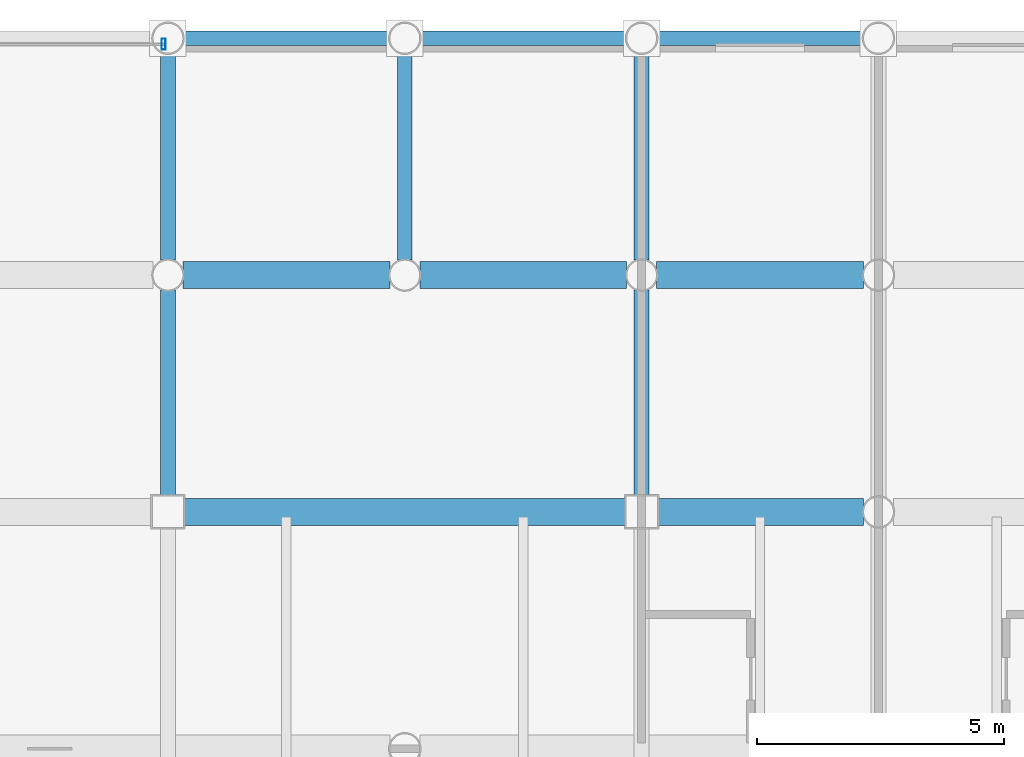
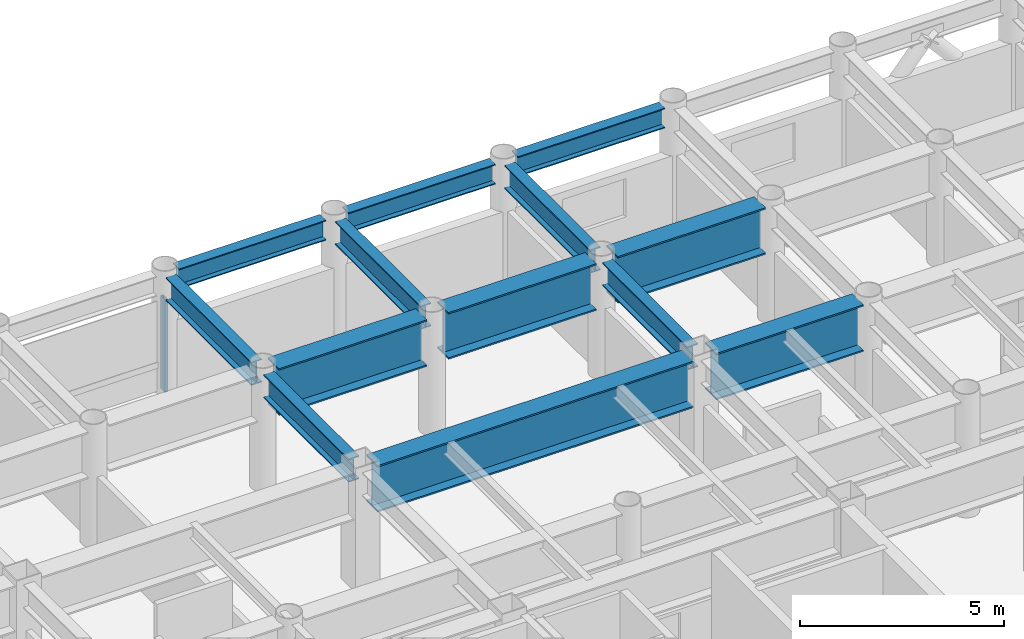
# One storey, part 14 of 22: 13 beams, 1 member, 1 element without a shape of its own.
"""IFC4 building model written with IfcOpenShell, lengths in metres."""

from ifc_helpers import new_model, si_unit, direction, frame, origin, origin_2d, place, context, subcontext, project, spatial, hollow_rectangle, i_section, extrude, material, layer, layer_set, material_profile, profile_set, type_object, element, aggregate, save


model = new_model("IFC4")

# Units and contexts
model_context = context("Model", 3, precision=1e-05, world=origin(), true_north=direction((0.0, 1.0)))
body_context = subcontext(model_context, "Body", "Model", "MODEL_VIEW")
ifc_project = project(units=[si_unit("LENGTHUNIT", "METRE"), si_unit("AREAUNIT", "SQUARE_METRE"), si_unit("VOLUMEUNIT", "CUBIC_METRE"), si_unit("PLANEANGLEUNIT", "RADIAN"), si_unit("MASSUNIT", "GRAM", prefix="KILO")], contexts=[model_context])

# Site, building, storey
site_placement = place(None, origin())
site = spatial("IfcSite", under=ifc_project, at=site_placement, CompositionType="ELEMENT")
building_placement = place(site_placement, origin())
building = spatial("IfcBuilding", under=site, at=building_placement, Name="Kallvorn Hotel Tower", CompositionType="ELEMENT")
storey_placement = place(building_placement, frame((0.0, 0.0, 95.199951171875)))
storey = spatial("IfcBuildingStorey", under=building, at=storey_placement, Name="L22", CompositionType="ELEMENT", Elevation=95.199951171875)

# Beams
ifc_material_1 = material(Name="Structural steel S355JR", Category="steel")
ifc_material_profile_1 = material_profile(ifc_material_1, i_section(OverallWidth=0.300048828125, OverallDepth=0.60009765625, WebThickness=0.015380859375, FlangeThickness=0.030029296875, at=origin_2d()), Name="HE 600 B")
ifc_profile_set_1 = profile_set([ifc_material_profile_1], Name="Structural steel S355JR")
beam_type_1 = type_object("IfcBeamType", Name="BM_HE600B", PredefinedType="SPANDREL", material=ifc_profile_set_1)
beam_1_placement = place(storey_placement, frame((5.1201171875, 24.0, 3.219970703125), z_axis=(1.0, 0.0, 0.0), x_axis=(0.0, 1.0, 0.0)))
element("IfcBeam", 1, at=beam_1_placement, inside=storey, type_object=beam_type_1, Name="L23 Perimeter Spandrel 169", PredefinedType="SPANDREL", context=body_context, shape_type="SweptSolid", body=[
    extrude(i_section(OverallWidth=0.300048828125, OverallDepth=0.60009765625, WebThickness=0.015380859375, FlangeThickness=0.030029296875, at=origin_2d()), origin(), (0.0, 0.0, 1.0), 4.159912109375),
])
beam_2_placement = place(storey_placement, frame((9.919921875, 24.0, 3.219970703125), z_axis=(1.0, 0.0, 0.0), x_axis=(0.0, 1.0, 0.0)))
element("IfcBeam", 2, at=beam_2_placement, inside=storey, type_object=beam_type_1, Name="L23 Perimeter Spandrel 170", PredefinedType="SPANDREL", context=body_context, shape_type="SweptSolid", body=[
    extrude(i_section(OverallWidth=0.300048828125, OverallDepth=0.60009765625, WebThickness=0.015380859375, FlangeThickness=0.030029296875, at=origin_2d()), origin(), (0.0, 0.0, 1.0), 4.16015625),
])
beam_3_placement = place(storey_placement, frame((14.719970703125, 24.0, 3.219970703125), z_axis=(1.0, 0.0, 0.0), x_axis=(0.0, 1.0, 0.0)))
element("IfcBeam", 3, at=beam_3_placement, inside=storey, type_object=beam_type_1, Name="L23 Perimeter Spandrel 171", PredefinedType="SPANDREL", context=body_context, shape_type="SweptSolid", body=[
    extrude(i_section(OverallWidth=0.300048828125, OverallDepth=0.60009765625, WebThickness=0.015380859375, FlangeThickness=0.030029296875, at=origin_2d()), origin(), (0.0, 0.0, 1.0), 4.159912109375),
])
ifc_material_2 = material(Name="Structural steel S355JR", Category="steel")
ifc_material_profile_2 = material_profile(ifc_material_2, i_section(OverallWidth=0.300048828125, OverallDepth=0.699951171875, WebThickness=0.01708984375, FlangeThickness=0.031982421875, at=origin_2d()), Name="HE 700 B")
ifc_profile_set_2 = profile_set([ifc_material_profile_2], Name="Structural steel S355JR")
beam_type_2 = type_object("IfcBeamType", Name="BM_HE700B", PredefinedType="BEAM", material=ifc_profile_set_2)
beam_4_placement = place(storey_placement, frame((4.800048828125, 14.72509765625, 3.170166015625), z_axis=(0.0, 1.0, 0.0), x_axis=(-1.0, 0.0, 0.0)))
element("IfcBeam", 4, at=beam_4_placement, inside=storey, type_object=beam_type_2, Name="L23 Primary Y-Girder 116", PredefinedType="BEAM", context=body_context, shape_type="SweptSolid", body=[
    extrude(i_section(OverallWidth=0.300048828125, OverallDepth=0.699951171875, WebThickness=0.01708984375, FlangeThickness=0.031982421875, at=origin_2d()), origin(), (0.0, 0.0, 1.0), 4.169921875),
])
for number, where, z_axis, x_axis, name in (
    (5, (4.800048828125, 19.5048828125, 3.170166015625), (0.0, 1.0, 0.0), (-1.0, 0.0, 0.0), "L23 Primary Y-Girder 117"),
    (6, (9.60009765625, 19.5048828125, 3.170166015625), (0.0, 1.0, 0.0), (-1.0, 0.0, 0.0), "L23 Primary Y-Girder 120"),
):
    element("IfcBeam", number, at=place(storey_placement, frame(where, z_axis=z_axis, x_axis=x_axis)), inside=storey, type_object=beam_type_2, Name=name, PredefinedType="BEAM", context=body_context, shape_type="SweptSolid", body=[
        extrude(i_section(OverallWidth=0.300048828125, OverallDepth=0.699951171875, WebThickness=0.01708984375, FlangeThickness=0.031982421875, at=origin_2d()), origin(), (0.0, 0.0, 1.0), 4.190185546875),
    ])
beam_5_placement = place(storey_placement, frame((14.39990234375, 14.72509765625, 3.170166015625), z_axis=(0.0, 1.0, 0.0), x_axis=(-1.0, 0.0, 0.0)))
element("IfcBeam", 7, at=beam_5_placement, inside=storey, type_object=beam_type_2, Name="L23 Primary Y-Girder 124", PredefinedType="BEAM", context=body_context, shape_type="SweptSolid", body=[
    extrude(i_section(OverallWidth=0.300048828125, OverallDepth=0.699951171875, WebThickness=0.01708984375, FlangeThickness=0.031982421875, at=origin_2d()), origin(), (0.0, 0.0, 1.0), 4.169921875),
])
beam_6_placement = place(storey_placement, frame((14.39990234375, 19.5048828125, 3.170166015625), z_axis=(0.0, 1.0, 0.0), x_axis=(-1.0, 0.0, 0.0)))
element("IfcBeam", 8, at=beam_6_placement, inside=storey, type_object=beam_type_2, Name="L23 Primary Y-Girder 125", PredefinedType="BEAM", context=body_context, shape_type="SweptSolid", body=[
    extrude(i_section(OverallWidth=0.300048828125, OverallDepth=0.699951171875, WebThickness=0.01708984375, FlangeThickness=0.031982421875, at=origin_2d()), origin(), (0.0, 0.0, 1.0), 4.190185546875),
])
ifc_material_3 = material(Name="Structural steel S355JR", Category="steel")
ifc_material_profile_3 = material_profile(ifc_material_3, i_section(OverallWidth=0.550048828125, OverallDepth=1.39990234375, WebThickness=0.02490234375, FlangeThickness=0.044921875, at=origin_2d()), Name="PG 1400x550x25x45")
ifc_profile_set_3 = profile_set([ifc_material_profile_3], Name="Structural steel S355JR")
beam_type_3 = type_object("IfcBeamType", Name="BM_PG_1400", PredefinedType="BEAM", material=ifc_profile_set_3)
beam_7_placement = place(storey_placement, frame((5.125, 14.39990234375, 2.820068359375), z_axis=(1.0, 0.0, 0.0), x_axis=(0.0, 1.0, 0.0)))
element("IfcBeam", 9, at=beam_7_placement, inside=storey, type_object=beam_type_3, Name="L23 Primary X-Girder 55", PredefinedType="BEAM", context=body_context, shape_type="SweptSolid", body=[
    extrude(i_section(OverallWidth=0.550048828125, OverallDepth=1.39990234375, WebThickness=0.02490234375, FlangeThickness=0.044921875, at=origin_2d()), origin(), (0.0, 0.0, 1.0), 8.949951171875),
])
beam_8_placement = place(storey_placement, frame((14.72509765625, 14.39990234375, 2.820068359375), z_axis=(1.0, 0.0, 0.0), x_axis=(0.0, 1.0, 0.0)))
element("IfcBeam", 10, at=beam_8_placement, inside=storey, type_object=beam_type_3, Name="L23 Primary X-Girder 56", PredefinedType="BEAM", context=body_context, shape_type="SweptSolid", body=[
    extrude(i_section(OverallWidth=0.550048828125, OverallDepth=1.39990234375, WebThickness=0.02490234375, FlangeThickness=0.044921875, at=origin_2d()), origin(), (0.0, 0.0, 1.0), 4.169921875),
])
for number, where, z_axis, x_axis, name in (
    (11, (5.10498046875, 19.199951171875, 2.820068359375), (1.0, 0.0, 0.0), (0.0, 1.0, 0.0), "L23 Primary X-Girder 67"),
    (12, (9.905029296875, 19.199951171875, 2.820068359375), (1.0, 0.0, 0.0), (0.0, 1.0, 0.0), "L23 Primary X-Girder 68"),
    (13, (14.705078125, 19.199951171875, 2.820068359375), (1.0, 0.0, 0.0), (0.0, 1.0, 0.0), "L23 Primary X-Girder 69"),
):
    element("IfcBeam", number, at=place(storey_placement, frame(where, z_axis=z_axis, x_axis=x_axis)), inside=storey, type_object=beam_type_3, Name=name, PredefinedType="BEAM", context=body_context, shape_type="SweptSolid", body=[
        extrude(i_section(OverallWidth=0.550048828125, OverallDepth=1.39990234375, WebThickness=0.02490234375, FlangeThickness=0.044921875, at=origin_2d()), origin(), (0.0, 0.0, 1.0), 4.18994140625),
    ])

# Curtain wall, member
ifc_material_4 = material(Name="Thermally broken black-anodised aluminium AA 6063-T6", Category="aluminium")
ifc_layer = layer(ifc_material_4, 0.199951171875)
ifc_layer_set = layer_set([ifc_layer], Name="CW_SYS_3_HOTEL_LOW")
curtain_wall_type = type_object("IfcCurtainWallType", Name="CW_SYS_3_HOTEL_LOW", PredefinedType="USERDEFINED", material=ifc_layer_set)
curtain_wall_placement = place(storey_placement, origin())
curtain_wall = element("IfcCurtainWall", 14, at=curtain_wall_placement, inside=storey, type_object=curtain_wall_type, Name="L22 Dark-Glass Curtain Wall CW-L22-NC", ObjectType="UNITISED CURTAIN WALL", PredefinedType="USERDEFINED")
ifc_material_5 = material(Name="Thermally broken black-anodised aluminium AA 6063-T6", Category="aluminium")
ifc_material_profile_4 = material_profile(ifc_material_5, hollow_rectangle(XDim=0.080078125, YDim=0.219970703125, WallThickness=0.0048828125, at=origin_2d()), Name="MUL 220x80")
ifc_profile_set_4 = profile_set([ifc_material_profile_4], Name="Thermally broken black-anodised aluminium AA 6063-T6")
member_type = type_object("IfcMemberType", Name="CW_MULLION_220x80", PredefinedType="MULLION", material=ifc_profile_set_4)
member_placement = place(storey_placement, frame((4.7099609375, 23.8798828125, 0.02001953125), z_axis=(0.0, 0.0, 1.0), x_axis=(1.0, 0.0, 0.0)))
member = element("IfcMember", 15, at=member_placement, type_object=member_type, Name="CW-L22-NC Mullion 02", PredefinedType="MULLION", context=body_context, shape_type="SweptSolid", body=[
    extrude(hollow_rectangle(XDim=0.080078125, YDim=0.219970703125, WallThickness=0.0048828125, at=origin_2d()), origin(), (0.0, 0.0, 1.0), 2.780029296875),
])
aggregate(curtain_wall, [member])

save(model, "model.ifc")
